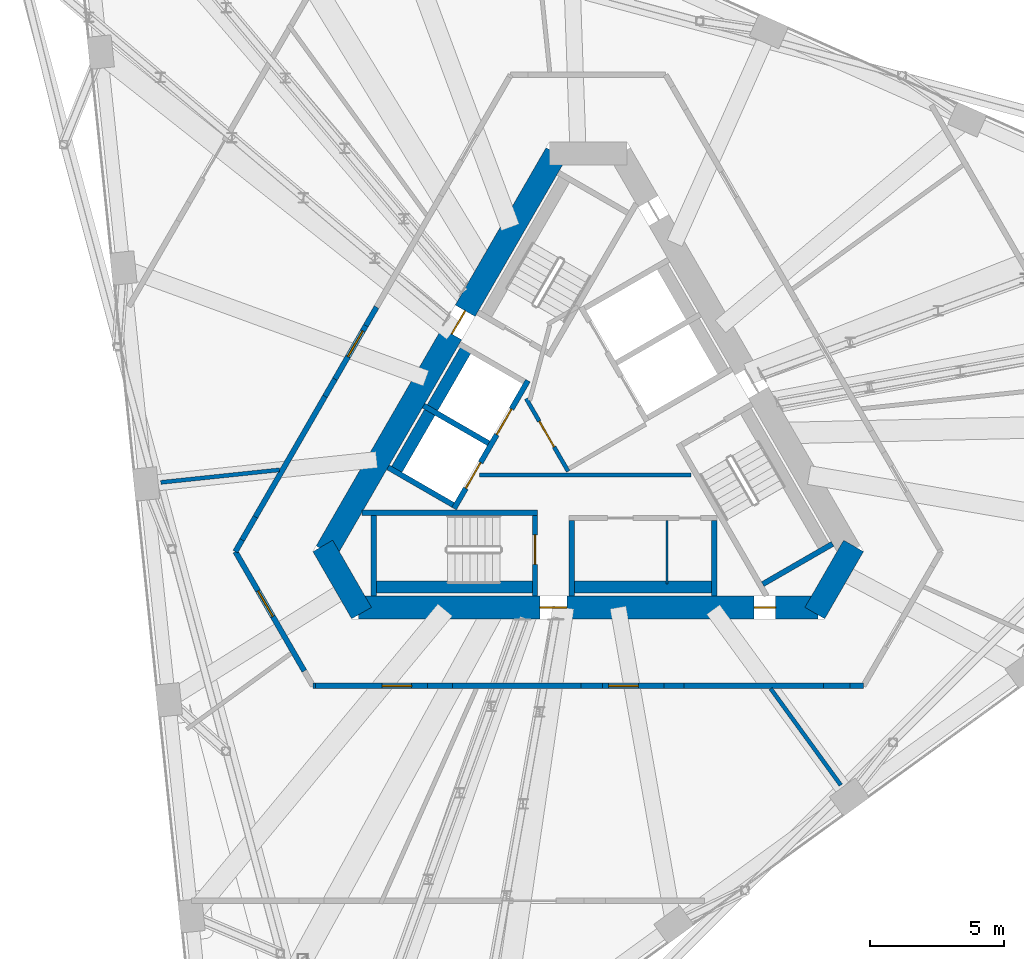
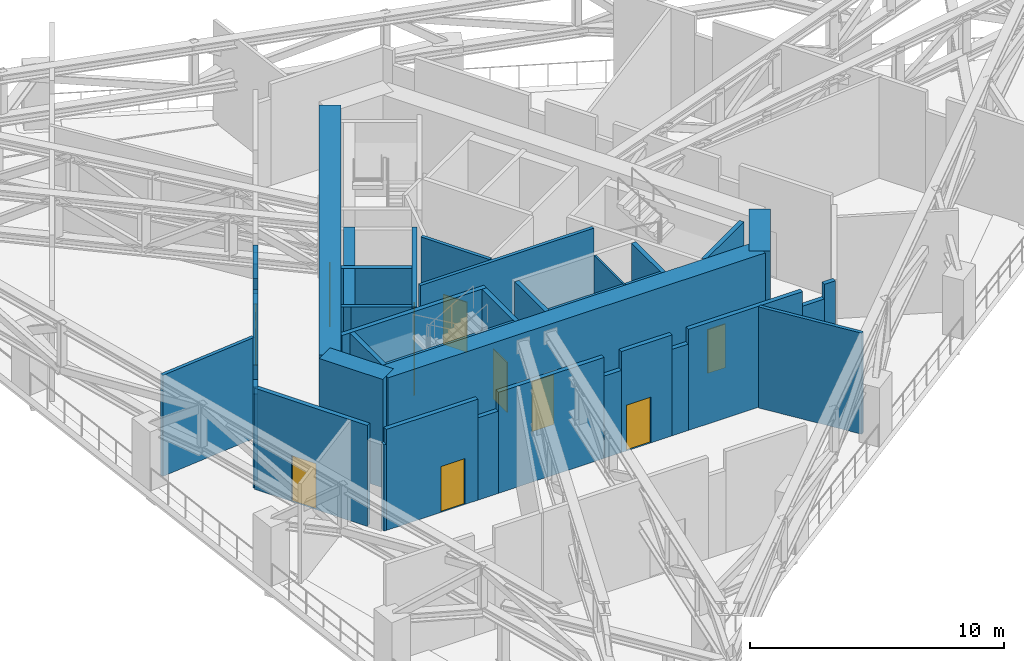
# One storey, part 17 of 26: 38 walls, 11 doors, 11 openings.
"""IFC4 building model written with IfcOpenShell, lengths in metres."""

from ifc_helpers import new_model, si_unit, direction, frame, frame_2d, origin, place, context, subcontext, project, spatial, rectangle, extrude, material, layer, layer_set, type_object, element, fill, save


model = new_model("IFC4")

# Units and contexts
model_context = context("Model", 3, precision=1e-05, world=origin(), true_north=direction((0.0, 1.0)))
body_context = subcontext(model_context, "Body", "Model", "MODEL_VIEW")
ifc_project = project(units=[si_unit("LENGTHUNIT", "METRE"), si_unit("AREAUNIT", "SQUARE_METRE"), si_unit("VOLUMEUNIT", "CUBIC_METRE"), si_unit("PLANEANGLEUNIT", "RADIAN"), si_unit("MASSUNIT", "GRAM", prefix="KILO")], contexts=[model_context])

# Site, building, storey
site_placement = place(None, origin())
site = spatial("IfcSite", under=ifc_project, at=site_placement, CompositionType="ELEMENT")
building_placement = place(site_placement, origin())
building = spatial("IfcBuilding", under=site, at=building_placement, Name="Tramontana Tower", CompositionType="ELEMENT")
storey_placement = place(building_placement, frame((0.0, 0.0, 194.800048828125)))
storey = spatial("IfcBuildingStorey", under=building, at=storey_placement, Name="L45", CompositionType="ELEMENT", Elevation=194.800048828125)

# Wall, opening, door
ifc_material_1 = material(Name="Concrete 70 MPa", Category="concrete")
ifc_layer_1 = layer(ifc_material_1, 0.85009765625)
ifc_layer_set_1 = layer_set([ifc_layer_1], Name="Core wall 850 70 MPa")
wall_type_1 = type_object("IfcWallType", Name="Core wall 850 70 MPa", PredefinedType="SHEAR", material=ifc_layer_set_1)
wall_1_placement = place(storey_placement, frame((-1.197998046875, 10.574951171875, 0.0), z_axis=(0.0, 0.0, 1.0), x_axis=(-0.499995289315, -0.866028123483, 0.0)))
wall_1 = element("IfcWall", 1, at=wall_1_placement, inside=storey, type_object=wall_type_1, Name="Core wall C1 L45", PredefinedType="SHEAR", context=body_context, shape_type="SweptSolid", body=[
    extrude(rectangle(XDim=17.118408203125, YDim=0.85009765625, at=frame_2d((8.55908203125, 0.0))), origin(), (0.0, 0.0, 1.0), 5.199951171875),
])
opening_1_placement = place(wall_1_placement, frame((6.76416015625, 0.0, 0.0)))
opening_1 = element("IfcOpeningElement", 2, at=opening_1_placement, cuts=wall_1, Name="Opening RG1", PredefinedType="OPENING", context=body_context, shape_type="SweptSolid", body=[
    extrude(rectangle(XDim=1.0, YDim=2.39990234375, at=frame_2d((0.5, 1.199951171875))), frame((0.0, 0.43505859375, 0.0), z_axis=(0.0, -1.0, 0.0), x_axis=(1.0, 0.0, 0.0)), (0.0, 0.0, 1.0), 0.8701171875),
])
ifc_material_2 = material(Name="Painted steel", Category="steel")
door_type_1 = type_object("IfcDoorType", Name="RING DOOR 1000", OperationType="SINGLE_SWING_LEFT", PredefinedType="DOOR", material=ifc_material_2)
door_1_placement = place(opening_1_placement, origin())
door_1 = element("IfcDoor", 3, at=door_1_placement, inside=storey, type_object=door_type_1, Name="Door RG1", OperationType="SINGLE_SWING_RIGHT", OverallHeight=2.39990234375, OverallWidth=1.0, PredefinedType="DOOR", context=body_context, shape_type="SweptSolid", body=[
    extrude(rectangle(XDim=1.0, YDim=2.39990234375, at=frame_2d((0.5, 1.199951171875))), frame((0.0, 0.02490234375, 0.0), z_axis=(0.0, -1.0, 0.0), x_axis=(1.0, 0.0, 0.0)), (0.0, 0.0, 1.0), 0.050048828125),
])
fill(opening_1, door_1)

# Wall
wall_2_placement = place(storey_placement, frame((-9.8798828125, -4.03759765625, 0.0), z_axis=(0.0, 0.0, 1.0), x_axis=(0.499995765644, -0.866027848477, 0.0)))
element("IfcWall", 4, at=wall_2_placement, inside=storey, type_object=wall_type_1, Name="Core wall C2 L45", PredefinedType="SHEAR", context=body_context, shape_type="SweptSolid", body=[
    extrude(rectangle(XDim=2.88671875, YDim=0.85009765625, at=frame_2d((1.443359375, 0.0))), origin(), (0.0, 0.0, 1.0), 5.199951171875),
])

# Wall, openings, doors
wall_3_placement = place(storey_placement, frame((-8.55908203125, -6.324951171875, 0.0), z_axis=(0.0, 0.0, 1.0), x_axis=(1.0, 0.0, 0.0)))
wall_3 = element("IfcWall", 5, at=wall_3_placement, inside=storey, type_object=wall_type_1, Name="Core wall C3 L45", PredefinedType="SHEAR", context=body_context, shape_type="SweptSolid", body=[
    extrude(rectangle(XDim=17.1181640625, YDim=0.85009765625, at=frame_2d((8.55908203125, 0.0))), origin(), (0.0, 0.0, 1.0), 5.199951171875),
])
opening_2_placement = place(wall_3_placement, frame((6.76416015625, 0.0, 0.0)))
opening_2 = element("IfcOpeningElement", 6, at=opening_2_placement, cuts=wall_3, Name="Opening RG2", PredefinedType="OPENING", context=body_context, shape_type="SweptSolid", body=[
    extrude(rectangle(XDim=1.0, YDim=2.39990234375, at=frame_2d((0.5, 1.199951171875))), frame((0.0, 0.43505859375, 0.0), z_axis=(0.0, -1.0, 0.0), x_axis=(1.0, 0.0, 0.0)), (0.0, 0.0, 1.0), 0.8701171875),
])
opening_3_placement = place(wall_3_placement, frame((14.7421875, 0.0, 0.0)))
opening_3 = element("IfcOpeningElement", 7, at=opening_3_placement, cuts=wall_3, Name="Opening PD2", PredefinedType="OPENING", context=body_context, shape_type="SweptSolid", body=[
    extrude(rectangle(XDim=0.800048828125, YDim=2.10009765625, at=frame_2d((0.39990234375, 1.050048828125))), frame((0.0, 0.43505859375, 0.0), z_axis=(0.0, -1.0, 0.0), x_axis=(1.0, 0.0, 0.0)), (0.0, 0.0, 1.0), 0.8701171875),
])
ifc_material_3 = material(Name="Painted steel", Category="steel")
door_type_2 = type_object("IfcDoorType", Name="CUPBOARD DOOR 800", OperationType="SINGLE_SWING_LEFT", PredefinedType="DOOR", material=ifc_material_3)
door_2_placement = place(opening_3_placement, origin())
door_2 = element("IfcDoor", 8, at=door_2_placement, inside=storey, type_object=door_type_2, Name="Door PD2", OperationType="SINGLE_SWING_LEFT", OverallHeight=2.10009765625, OverallWidth=0.800048828125, PredefinedType="DOOR", context=body_context, shape_type="SweptSolid", body=[
    extrude(rectangle(XDim=0.800048828125, YDim=2.10009765625, at=frame_2d((0.39990234375, 1.050048828125))), frame((0.0, 0.02490234375, 0.0), z_axis=(0.0, -1.0, 0.0), x_axis=(1.0, 0.0, 0.0)), (0.0, 0.0, 1.0), 0.050048828125),
])
fill(opening_3, door_2)
door_3_placement = place(opening_2_placement, origin())
door_3 = element("IfcDoor", 9, at=door_3_placement, inside=storey, type_object=door_type_1, Name="Door RG2", OperationType="SINGLE_SWING_LEFT", OverallHeight=2.39990234375, OverallWidth=1.0, PredefinedType="DOOR", context=body_context, shape_type="SweptSolid", body=[
    extrude(rectangle(XDim=1.0, YDim=2.39990234375, at=frame_2d((0.5, 1.199951171875))), frame((0.0, 0.02490234375, 0.0), z_axis=(0.0, -1.0, 0.0), x_axis=(1.0, 0.0, 0.0)), (0.0, 0.0, 1.0), 0.050048828125),
])
fill(opening_2, door_3)

# Walls
wall_4_placement = place(storey_placement, frame((8.4365234375, -6.53759765625, 0.0), z_axis=(0.0, 0.0, 1.0), x_axis=(0.499995765644, 0.866027848477, 0.0)))
element("IfcWall", 10, at=wall_4_placement, inside=storey, type_object=wall_type_1, Name="Core wall C4 L45", PredefinedType="SHEAR", context=body_context, shape_type="SweptSolid", body=[
    extrude(rectangle(XDim=2.88671875, YDim=0.85009765625, at=frame_2d((1.443359375, 0.0))), origin(), (0.0, 0.0, 1.0), 5.199951171875),
])
ifc_material_4 = material(Name="Blockwork", Category="masonry")
ifc_layer_2 = layer(ifc_material_4, 0.199951171875)
ifc_layer_set_2 = layer_set([ifc_layer_2], Name="ENTRY WALL 200")
wall_type_2 = type_object("IfcWallType", Name="ENTRY WALL 200", PredefinedType="SOLIDWALL", material=ifc_layer_set_2)
wall_5_placement = place(storey_placement, frame((10.248046875, -9.25, 0.0), z_axis=(0.0, 0.0, 1.0), x_axis=(-1.0, 0.0, 0.0)))
element("IfcWall", 11, at=wall_5_placement, inside=storey, type_object=wall_type_2, Name="Wall ew2-0", PredefinedType="SOLIDWALL", context=body_context, shape_type="SweptSolid", body=[
    extrude(rectangle(XDim=0.503173828125, YDim=0.199951171875, at=frame_2d((0.25146484375, 0.0))), origin(), (0.0, 0.0, 1.0), 4.849853515625),
])
wall_6_placement = place(storey_placement, frame((9.744873046875, -9.25, 0.0), z_axis=(0.0, 0.0, 1.0), x_axis=(-1.0, 0.0, 0.0)))
element("IfcWall", 12, at=wall_6_placement, inside=storey, type_object=wall_type_2, Name="Wall ew2-1", PredefinedType="SOLIDWALL", context=body_context, shape_type="SweptSolid", body=[
    extrude(rectangle(XDim=0.98974609375, YDim=0.199951171875, at=frame_2d((0.494873046875, 0.0))), origin(), (0.0, 0.0, 1.0), 4.14990234375),
])
wall_7_placement = place(storey_placement, frame((8.755126953125, -9.25, 0.0), z_axis=(0.0, 0.0, 1.0), x_axis=(-1.0, 0.0, 0.0)))
element("IfcWall", 13, at=wall_7_placement, inside=storey, type_object=wall_type_2, Name="Wall ew2-2", PredefinedType="SOLIDWALL", context=body_context, shape_type="SweptSolid", body=[
    extrude(rectangle(XDim=5.18212890625, YDim=0.199951171875, at=frame_2d((2.591064453125, 0.0))), origin(), (0.0, 0.0, 1.0), 4.849853515625),
])
wall_8_placement = place(storey_placement, frame((3.572998046875, -9.25, 0.0), z_axis=(0.0, 0.0, 1.0), x_axis=(-1.0, 0.0, 0.0)))
element("IfcWall", 14, at=wall_8_placement, inside=storey, type_object=wall_type_2, Name="Wall ew2-3", PredefinedType="SOLIDWALL", context=body_context, shape_type="SweptSolid", body=[
    extrude(rectangle(XDim=0.74072265625, YDim=0.199951171875, at=frame_2d((0.370361328125, 0.0))), origin(), (0.0, 0.0, 1.0), 4.14990234375),
])

# Wall, opening, door
wall_9_placement = place(storey_placement, frame((2.832275390625, -9.25, 0.0), z_axis=(0.0, 0.0, 1.0), x_axis=(-1.0, 0.0, 0.0)))
wall_9 = element("IfcWall", 15, at=wall_9_placement, inside=storey, type_object=wall_type_2, Name="Wall ew2-4", PredefinedType="SOLIDWALL", context=body_context, shape_type="SweptSolid", body=[
    extrude(rectangle(XDim=2.29736328125, YDim=0.199951171875, at=frame_2d((1.148681640625, 0.0))), origin(), (0.0, 0.0, 1.0), 4.849853515625),
])
opening_4_placement = place(wall_9_placement, frame((0.96728515625, 0.0, 0.0)))
opening_4 = element("IfcOpeningElement", 16, at=opening_4_placement, cuts=wall_9, Name="Opening L45-05", PredefinedType="OPENING", context=body_context, shape_type="SweptSolid", body=[
    extrude(rectangle(XDim=1.10009765625, YDim=2.199951171875, at=frame_2d((0.550048828125, 1.10009765625))), frame((0.0, 0.10986328125, 0.0), z_axis=(0.0, -1.0, 0.0), x_axis=(1.0, 0.0, 0.0)), (0.0, 0.0, 1.0), 0.219970703125),
])
ifc_material_5 = material(Name="Painted steel", Category="steel")
door_type_3 = type_object("IfcDoorType", Name="PLANT DOOR 1100", OperationType="SINGLE_SWING_LEFT", PredefinedType="DOOR", material=ifc_material_5)
door_4_placement = place(opening_4_placement, origin())
door_4 = element("IfcDoor", 17, at=door_4_placement, inside=storey, type_object=door_type_3, Name="Door L45-05", OperationType="SINGLE_SWING_LEFT", OverallHeight=2.199951171875, OverallWidth=1.10009765625, PredefinedType="DOOR", context=body_context, shape_type="SweptSolid", body=[
    extrude(rectangle(XDim=1.10009765625, YDim=2.199951171875, at=frame_2d((0.550048828125, 1.10009765625))), frame((0.0, 0.02490234375, 0.0), z_axis=(0.0, -1.0, 0.0), x_axis=(1.0, 0.0, 0.0)), (0.0, 0.0, 1.0), 0.050048828125),
])
fill(opening_4, door_4)

# Walls
wall_10_placement = place(storey_placement, frame((0.534912109375, -9.25, 0.0), z_axis=(0.0, 0.0, 1.0), x_axis=(-1.0, 0.0, 0.0)))
element("IfcWall", 18, at=wall_10_placement, inside=storey, type_object=wall_type_2, Name="Wall ew2-5", PredefinedType="SOLIDWALL", context=body_context, shape_type="SweptSolid", body=[
    extrude(rectangle(XDim=0.800048828125, YDim=0.199951171875, at=frame_2d((0.39990234375, 0.0))), origin(), (0.0, 0.0, 1.0), 3.949951171875),
])
wall_11_placement = place(storey_placement, frame((-0.26513671875, -9.25, 0.0), z_axis=(0.0, 0.0, 1.0), x_axis=(-1.0, 0.0, 0.0)))
element("IfcWall", 19, at=wall_11_placement, inside=storey, type_object=wall_type_2, Name="Wall ew2-6", PredefinedType="SOLIDWALL", context=body_context, shape_type="SweptSolid", body=[
    extrude(rectangle(XDim=4.791015625, YDim=0.199951171875, at=frame_2d((2.3955078125, 0.0))), origin(), (0.0, 0.0, 1.0), 4.849853515625),
])
wall_12_placement = place(storey_placement, frame((-5.05615234375, -9.25, 0.0), z_axis=(0.0, 0.0, 1.0), x_axis=(-1.0, 0.0, 0.0)))
element("IfcWall", 20, at=wall_12_placement, inside=storey, type_object=wall_type_2, Name="Wall ew2-7", PredefinedType="SOLIDWALL", context=body_context, shape_type="SweptSolid", body=[
    extrude(rectangle(XDim=0.931640625, YDim=0.199951171875, at=frame_2d((0.4658203125, 0.0))), origin(), (0.0, 0.0, 1.0), 3.949951171875),
])

# Wall, opening, door
wall_13_placement = place(storey_placement, frame((-5.98779296875, -9.25, 0.0), z_axis=(0.0, 0.0, 1.0), x_axis=(-1.0, 0.0, 0.0)))
wall_13 = element("IfcWall", 21, at=wall_13_placement, inside=storey, type_object=wall_type_2, Name="Wall ew2-8", PredefinedType="SOLIDWALL", context=body_context, shape_type="SweptSolid", body=[
    extrude(rectangle(XDim=4.1552734375, YDim=0.199951171875, at=frame_2d((2.07763671875, 0.0))), origin(), (0.0, 0.0, 1.0), 4.849853515625),
])
opening_5_placement = place(wall_13_placement, frame((0.5869140625, 0.0, 0.0)))
opening_5 = element("IfcOpeningElement", 22, at=opening_5_placement, cuts=wall_13, Name="Opening L45-04", PredefinedType="OPENING", context=body_context, shape_type="SweptSolid", body=[
    extrude(rectangle(XDim=1.10009765625, YDim=2.199951171875, at=frame_2d((0.550048828125, 1.10009765625))), frame((0.0, 0.10986328125, 0.0), z_axis=(0.0, -1.0, 0.0), x_axis=(1.0, 0.0, 0.0)), (0.0, 0.0, 1.0), 0.219970703125),
])
door_5_placement = place(opening_5_placement, origin())
door_5 = element("IfcDoor", 23, at=door_5_placement, inside=storey, type_object=door_type_3, Name="Door L45-04", OperationType="SINGLE_SWING_RIGHT", OverallHeight=2.199951171875, OverallWidth=1.10009765625, PredefinedType="DOOR", context=body_context, shape_type="SweptSolid", body=[
    extrude(rectangle(XDim=1.10009765625, YDim=2.199951171875, at=frame_2d((0.550048828125, 1.10009765625))), frame((0.0, 0.02490234375, 0.0), z_axis=(0.0, -1.0, 0.0), x_axis=(1.0, 0.0, 0.0)), (0.0, 0.0, 1.0), 0.050048828125),
])
fill(opening_5, door_5)

# Wall
wall_14_placement = place(storey_placement, frame((-10.14306640625, -9.25, 0.0), z_axis=(0.0, 0.0, 1.0), x_axis=(-1.0, 0.0, 0.0)))
element("IfcWall", 24, at=wall_14_placement, inside=storey, type_object=wall_type_2, Name="Wall ew2-9", PredefinedType="SOLIDWALL", context=body_context, shape_type="SweptSolid", body=[
    extrude(rectangle(XDim=0.10498046875, YDim=0.199951171875, at=frame_2d((0.052490234375, 0.0))), origin(), (0.0, 0.0, 1.0), 4.14990234375),
])

# Wall, opening, door
wall_15_placement = place(storey_placement, frame((-10.5693359375, -8.693115234375, 0.0), z_axis=(0.0, 0.0, 1.0), x_axis=(-0.500028638513, 0.8660088687, 0.0)))
wall_15 = element("IfcWall", 25, at=wall_15_placement, inside=storey, type_object=wall_type_2, Name="Wall ew3-1", PredefinedType="SOLIDWALL", context=body_context, shape_type="SweptSolid", body=[
    extrude(rectangle(XDim=5.130615234375, YDim=0.199951171875, at=frame_2d((2.5654296875, 0.0))), origin(), (0.0, 0.0, 1.0), 4.849853515625),
])
opening_6_placement = place(wall_15_placement, frame((2.341796875, 0.0, 0.0)))
opening_6 = element("IfcOpeningElement", 26, at=opening_6_placement, cuts=wall_15, Name="Opening L45-03", PredefinedType="OPENING", context=body_context, shape_type="SweptSolid", body=[
    extrude(rectangle(XDim=1.10009765625, YDim=2.199951171875, at=frame_2d((0.550048828125, 1.10009765625))), frame((0.0, 0.10986328125, 0.0), z_axis=(0.0, -1.0, 0.0), x_axis=(1.0, 0.0, 0.0)), (0.0, 0.0, 1.0), 0.219970703125),
])
door_6_placement = place(opening_6_placement, origin())
door_6 = element("IfcDoor", 27, at=door_6_placement, inside=storey, type_object=door_type_3, Name="Door L45-03", OperationType="SINGLE_SWING_LEFT", OverallHeight=2.199951171875, OverallWidth=1.10009765625, PredefinedType="DOOR", context=body_context, shape_type="SweptSolid", body=[
    extrude(rectangle(XDim=1.10009765625, YDim=2.199951171875, at=frame_2d((0.550048828125, 1.10009765625))), frame((0.0, 0.02490234375, 0.0), z_axis=(0.0, -1.0, 0.0), x_axis=(1.0, 0.0, 0.0)), (0.0, 0.0, 1.0), 0.050048828125),
])
fill(opening_6, door_6)

# Walls
wall_16_placement = place(storey_placement, frame((-13.134765625, -4.25, 0.0), z_axis=(0.0, 0.0, 1.0), x_axis=(0.500002592159, 0.866023907196, 0.0)))
element("IfcWall", 28, at=wall_16_placement, inside=storey, type_object=wall_type_2, Name="Wall ew4-0", PredefinedType="SOLIDWALL", context=body_context, shape_type="SweptSolid", body=[
    extrude(rectangle(XDim=0.5029296875, YDim=0.199951171875, at=frame_2d((0.25146484375, 0.0))), origin(), (0.0, 0.0, 1.0), 4.849853515625),
])
wall_17_placement = place(storey_placement, frame((-12.88330078125, -3.814453125, 0.0), z_axis=(0.0, 0.0, 1.0), x_axis=(0.500063959222, 0.865988473761, 0.0)))
element("IfcWall", 29, at=wall_17_placement, inside=storey, type_object=wall_type_2, Name="Wall ew4-1", PredefinedType="SOLIDWALL", context=body_context, shape_type="SweptSolid", body=[
    extrude(rectangle(XDim=0.989990234375, YDim=0.199951171875, at=frame_2d((0.4951171875, 0.0))), origin(), (0.0, 0.0, 1.0), 4.14990234375),
])
wall_18_placement = place(storey_placement, frame((-12.38818359375, -2.95703125, 0.0), z_axis=(0.0, 0.0, 1.0), x_axis=(0.499990271856, 0.866031020258, 0.0)))
element("IfcWall", 30, at=wall_18_placement, inside=storey, type_object=wall_type_2, Name="Wall ew4-2", PredefinedType="SOLIDWALL", context=body_context, shape_type="SweptSolid", body=[
    extrude(rectangle(XDim=5.181640625, YDim=0.199951171875, at=frame_2d((2.5908203125, 0.0))), origin(), (0.0, 0.0, 1.0), 4.849853515625),
])
wall_19_placement = place(storey_placement, frame((-9.79736328125, 1.530517578125, 0.0), z_axis=(0.0, 0.0, 1.0), x_axis=(0.499931655587, 0.866064858854, 0.0)))
element("IfcWall", 31, at=wall_19_placement, inside=storey, type_object=wall_type_2, Name="Wall ew4-3", PredefinedType="SOLIDWALL", context=body_context, shape_type="SweptSolid", body=[
    extrude(rectangle(XDim=0.74072265625, YDim=0.199951171875, at=frame_2d((0.370361328125, 0.0))), origin(), (0.0, 0.0, 1.0), 4.14990234375),
])

# Wall, opening, door
wall_20_placement = place(storey_placement, frame((-9.427001953125, 2.172119140625, 0.0), z_axis=(0.0, 0.0, 1.0), x_axis=(0.500013761451, 0.866017458461, 0.0)))
wall_20 = element("IfcWall", 32, at=wall_20_placement, inside=storey, type_object=wall_type_2, Name="Wall ew4-4", PredefinedType="SOLIDWALL", context=body_context, shape_type="SweptSolid", body=[
    extrude(rectangle(XDim=2.29736328125, YDim=0.199951171875, at=frame_2d((1.148681640625, 0.0))), origin(), (0.0, 0.0, 1.0), 4.849853515625),
])
opening_7_placement = place(wall_20_placement, frame((0.96728515625, 0.0, 0.0)))
opening_7 = element("IfcOpeningElement", 33, at=opening_7_placement, cuts=wall_20, Name="Opening L45-02", PredefinedType="OPENING", context=body_context, shape_type="SweptSolid", body=[
    extrude(rectangle(XDim=1.10009765625, YDim=2.199951171875, at=frame_2d((0.550048828125, 1.10009765625))), frame((0.0, 0.10986328125, 0.0), z_axis=(0.0, -1.0, 0.0), x_axis=(1.0, 0.0, 0.0)), (0.0, 0.0, 1.0), 0.219970703125),
])
door_7_placement = place(opening_7_placement, origin())
door_7 = element("IfcDoor", 34, at=door_7_placement, inside=storey, type_object=door_type_3, Name="Door L45-02", OperationType="SINGLE_SWING_RIGHT", OverallHeight=2.199951171875, OverallWidth=1.10009765625, PredefinedType="DOOR", context=body_context, shape_type="SweptSolid", body=[
    extrude(rectangle(XDim=1.10009765625, YDim=2.199951171875, at=frame_2d((0.550048828125, 1.10009765625))), frame((0.0, 0.02490234375, 0.0), z_axis=(0.0, -1.0, 0.0), x_axis=(1.0, 0.0, 0.0)), (0.0, 0.0, 1.0), 0.050048828125),
])
fill(opening_7, door_7)

# Wall
wall_21_placement = place(storey_placement, frame((-8.2783203125, 4.16162109375, 0.0), z_axis=(0.0, 0.0, 1.0), x_axis=(0.500109828528, 0.865961984968, 0.0)))
element("IfcWall", 35, at=wall_21_placement, inside=storey, type_object=wall_type_2, Name="Wall ew4-5", PredefinedType="SOLIDWALL", context=body_context, shape_type="SweptSolid", body=[
    extrude(rectangle(XDim=0.800048828125, YDim=0.199951171875, at=frame_2d((0.39990234375, 0.0))), origin(), (0.0, 0.0, 1.0), 3.949951171875),
])

# Wall, opening, door
ifc_material_6 = material(Name="Gypsum board partition")
ifc_layer_3 = layer(ifc_material_6, 0.14990234375)
ifc_layer_set_3 = layer_set([ifc_layer_3], Name="PARTITION 150")
wall_type_3 = type_object("IfcWallType", Name="PARTITION 150", PredefinedType="PARTITIONING", material=ifc_layer_set_3)
wall_22_placement = place(storey_placement, frame((-0.744140625, -1.260986328125, 0.0), z_axis=(0.0, 0.0, 1.0), x_axis=(-0.500004234368, 0.866022959057, 0.0)))
wall_22 = element("IfcWall", 36, at=wall_22_placement, inside=storey, type_object=wall_type_3, Name="Wall ff-front", PredefinedType="PARTITIONING", context=body_context, shape_type="SweptSolid", body=[
    extrude(rectangle(XDim=3.125, YDim=0.14990234375, at=frame_2d((1.5625, 0.0))), origin(), (0.0, 0.0, 1.0), 4.849853515625),
])
opening_8_placement = place(wall_22_placement, frame((1.050048828125, 0.0, 0.0)))
opening_8 = element("IfcOpeningElement", 37, at=opening_8_placement, cuts=wall_22, Name="Opening FD1", PredefinedType="OPENING", context=body_context, shape_type="SweptSolid", body=[
    extrude(rectangle(XDim=1.10009765625, YDim=2.39990234375, at=frame_2d((0.550048828125, 1.199951171875))), frame((0.0, 0.0849609375, 0.0), z_axis=(0.0, -1.0, 0.0), x_axis=(1.0, 0.0, 0.0)), (0.0, 0.0, 1.0), 0.169921875),
])
ifc_material_7 = material(Name="Painted timber", Category="wood")
door_type_4 = type_object("IfcDoorType", Name="DOOR ENTRY 1100", OperationType="SINGLE_SWING_LEFT", PredefinedType="DOOR", material=ifc_material_7)
door_8_placement = place(opening_8_placement, origin())
door_8 = element("IfcDoor", 38, at=door_8_placement, inside=storey, type_object=door_type_4, Name="Door FD1", OperationType="SINGLE_SWING_LEFT", OverallHeight=2.39990234375, OverallWidth=1.10009765625, PredefinedType="DOOR", context=body_context, shape_type="SweptSolid", body=[
    extrude(rectangle(XDim=1.10009765625, YDim=2.39990234375, at=frame_2d((0.550048828125, 1.199951171875))), frame((0.0, 0.02490234375, 0.0), z_axis=(0.0, -1.0, 0.0), x_axis=(1.0, 0.0, 0.0)), (0.0, 0.0, 1.0), 0.050048828125),
])
fill(opening_8, door_8)

# Walls
wall_23_placement = place(storey_placement, frame((-4.053466796875, -1.39990234375, 0.0), z_axis=(0.0, 0.0, 1.0), x_axis=(1.0, 0.0, 0.0)))
element("IfcWall", 39, at=wall_23_placement, inside=storey, type_object=wall_type_3, Name="Wall hub-cut1", PredefinedType="PARTITIONING", context=body_context, shape_type="SweptSolid", body=[
    extrude(rectangle(XDim=7.8759765625, YDim=0.14990234375, at=frame_2d((3.93798828125, 0.0))), origin(), (0.0, 0.0, 1.0), 4.849853515625),
])
wall_24_placement = place(storey_placement, frame((-11.493896484375, -1.2080078125, 0.0), z_axis=(0.0, 0.0, 1.0), x_axis=(-0.994522903308, -0.104518872919, 0.0)))
element("IfcWall", 40, at=wall_24_placement, inside=storey, type_object=wall_type_3, Name="Wall fw-pw00", PredefinedType="PARTITIONING", context=body_context, shape_type="SweptSolid", body=[
    extrude(rectangle(XDim=4.44287109375, YDim=0.14990234375, at=frame_2d((2.221435546875, 0.0))), origin(), (0.0, 0.0, 1.0), 4.849853515625),
])
wall_25_placement = place(storey_placement, frame((6.793212890625, -9.35009765625, 0.0), z_axis=(0.0, 0.0, 1.0), x_axis=(0.587779529971, -0.809021151854, 0.0)))
element("IfcWall", 41, at=wall_25_placement, inside=storey, type_object=wall_type_3, Name="Wall fw-pw05", PredefinedType="PARTITIONING", context=body_context, shape_type="SweptSolid", body=[
    extrude(rectangle(XDim=4.442626953125, YDim=0.14990234375, at=frame_2d((2.22119140625, 0.0))), origin(), (0.0, 0.0, 1.0), 4.849853515625),
])
ifc_material_8 = material(Name="Gypsum board partition")
ifc_layer_4 = layer(ifc_material_8, 0.080078125)
ifc_layer_set_4 = layer_set([ifc_layer_4], Name="PARTITION 80")
wall_type_4 = type_object("IfcWallType", Name="PARTITION 80", PredefinedType="PARTITIONING", material=ifc_layer_set_4)
wall_26_placement = place(storey_placement, frame((2.93994140625, -3.10009765625, 0.0), z_axis=(0.0, 0.0, 1.0), x_axis=(0.0, -1.0, 0.0)))
element("IfcWall", 42, at=wall_26_placement, inside=storey, type_object=wall_type_4, Name="Wall row1-split", PredefinedType="PARTITIONING", context=body_context, shape_type="SweptSolid", body=[
    extrude(rectangle(XDim=2.349853515625, YDim=0.080078125, at=frame_2d((1.1748046875, 0.0))), origin(), (0.0, 0.0, 1.0), 4.849853515625),
])
ifc_material_9 = material(Name="Concrete 70 MPa", Category="concrete")
ifc_layer_5 = layer(ifc_material_9, 0.449951171875)
ifc_layer_set_5 = layer_set([ifc_layer_5], Name="Concrete 70 MPa, 450 mm")
wall_type_5 = type_object("IfcWallType", Name="RC SHAFT BACK WALL 450", PredefinedType="SOLIDWALL", material=ifc_layer_set_5)
wall_27_placement = place(storey_placement, frame((-8.080078125, -5.574951171875, 0.0), z_axis=(0.0, 0.0, 1.0), x_axis=(1.0, 0.0, 0.0)))
element("IfcWall", 43, at=wall_27_placement, inside=storey, type_object=wall_type_5, Name="Wall st2-back", PredefinedType="SOLIDWALL", context=body_context, shape_type="SweptSolid", body=[
    extrude(rectangle(XDim=6.2001953125, YDim=0.449951171875, at=frame_2d((3.10009765625, 0.0))), origin(), (0.0, 0.0, 1.0), 4.849853515625),
])
for number, where, z_axis, x_axis, name in (
    (44, (-4.47314453125, 3.40234375, 0.0), (0.0, 0.0, 1.0), (-0.499996545922, -0.866027397988, 0.0), "Wall row0-back"),
    (45, (-0.7099609375, -5.574951171875, 0.0), (0.0, 0.0, 1.0), (1.0, 0.0, 0.0), "Wall row1-back"),
):
    element("IfcWall", number, at=place(storey_placement, frame(where, z_axis=z_axis, x_axis=x_axis)), inside=storey, type_object=wall_type_5, Name=name, PredefinedType="SOLIDWALL", context=body_context, shape_type="SweptSolid", body=[
        extrude(rectangle(XDim=5.5, YDim=0.449951171875, at=frame_2d((2.75, 0.0))), origin(), (0.0, 0.0, 1.0), 4.849853515625),
    ])
ifc_material_10 = material(Name="Concrete 70 MPa", Category="concrete")
ifc_layer_6 = layer(ifc_material_10, 0.199951171875)
ifc_layer_set_6 = layer_set([ifc_layer_6], Name="Concrete 70 MPa, 200 mm")
wall_type_6 = type_object("IfcWallType", Name="RC STAIR AND SHAFT WALL 200", PredefinedType="SOLIDWALL", material=ifc_layer_set_6)
wall_28_placement = place(storey_placement, frame((-8.42919921875, -2.800048828125, 0.0), z_axis=(0.0, 0.0, 1.0), x_axis=(1.0, 0.0, 0.0)))
element("IfcWall", 46, at=wall_28_placement, inside=storey, type_object=wall_type_6, Name="Wall st2-front", PredefinedType="SOLIDWALL", context=body_context, shape_type="SweptSolid", body=[
    extrude(rectangle(XDim=6.54931640625, YDim=0.199951171875, at=frame_2d((3.274658203125, 0.0))), origin(), (0.0, 0.0, 1.0), 4.849853515625),
])
wall_29_placement = place(storey_placement, frame((-7.97998046875, -2.89990234375, 0.0), z_axis=(0.0, 0.0, 1.0), x_axis=(0.0, -1.0, 0.0)))
element("IfcWall", 47, at=wall_29_placement, inside=storey, type_object=wall_type_6, Name="Wall st2-far", PredefinedType="SOLIDWALL", context=body_context, shape_type="SweptSolid", body=[
    extrude(rectangle(XDim=3.0, YDim=0.199951171875, at=frame_2d((1.5, 0.0))), origin(), (0.0, 0.0, 1.0), 4.849853515625),
])

# Wall, opening, door
wall_30_placement = place(storey_placement, frame((-1.97998046875, -2.89990234375, 0.0), z_axis=(0.0, 0.0, 1.0), x_axis=(0.0, -1.0, 0.0)))
wall_30 = element("IfcWall", 48, at=wall_30_placement, inside=storey, type_object=wall_type_6, Name="Wall st2-near", PredefinedType="SOLIDWALL", context=body_context, shape_type="SweptSolid", body=[
    extrude(rectangle(XDim=3.0, YDim=0.199951171875, at=frame_2d((1.5, 0.0))), origin(), (0.0, 0.0, 1.0), 4.849853515625),
])
opening_9_placement = place(wall_30_placement, frame((0.72509765625, 0.0, 0.0)))
opening_9 = element("IfcOpeningElement", 49, at=opening_9_placement, cuts=wall_30, Name="Opening SD2", PredefinedType="OPENING", context=body_context, shape_type="SweptSolid", body=[
    extrude(rectangle(XDim=1.10009765625, YDim=2.39990234375, at=frame_2d((0.550048828125, 1.199951171875))), frame((0.0, 0.10986328125, 0.0), z_axis=(0.0, -1.0, 0.0), x_axis=(1.0, 0.0, 0.0)), (0.0, 0.0, 1.0), 0.219970703125),
])
ifc_material_11 = material(Name="Painted steel", Category="steel")
door_type_5 = type_object("IfcDoorType", Name="STAIR DOOR 1100", OperationType="SINGLE_SWING_LEFT", PredefinedType="DOOR", material=ifc_material_11)
door_9_placement = place(opening_9_placement, origin())
door_9 = element("IfcDoor", 50, at=door_9_placement, inside=storey, type_object=door_type_5, Name="Door SD2", OperationType="SINGLE_SWING_LEFT", OverallHeight=2.39990234375, OverallWidth=1.10009765625, PredefinedType="DOOR", context=body_context, shape_type="SweptSolid", body=[
    extrude(rectangle(XDim=1.10009765625, YDim=2.39990234375, at=frame_2d((0.550048828125, 1.199951171875))), frame((0.0, 0.02490234375, 0.0), z_axis=(0.0, -1.0, 0.0), x_axis=(1.0, 0.0, 0.0)), (0.0, 0.0, 1.0), 0.050048828125),
])
fill(opening_9, door_9)

# Wall
wall_31_placement = place(storey_placement, frame((6.50146484375, -5.4609375, 0.0), z_axis=(0.0, 0.0, 1.0), x_axis=(0.866031096941, 0.499990139034, 0.0)))
element("IfcWall", 51, at=wall_31_placement, inside=storey, type_object=wall_type_6, Name="Wall st3-far", PredefinedType="SOLIDWALL", context=body_context, shape_type="SweptSolid", body=[
    extrude(rectangle(XDim=3.0, YDim=0.199951171875, at=frame_2d((1.5, 0.0))), origin(), (0.0, 0.0, 1.0), 4.849853515625),
])

# Wall, openings, doors
wall_32_placement = place(storey_placement, frame((-2.2431640625, 2.114990234375, 0.0), z_axis=(0.0, 0.0, 1.0), x_axis=(-0.499996545922, -0.866027397988, 0.0)))
wall_32 = element("IfcWall", 52, at=wall_32_placement, inside=storey, type_object=wall_type_6, Name="Wall row0-front", PredefinedType="SOLIDWALL", context=body_context, shape_type="SweptSolid", body=[
    extrude(rectangle(XDim=5.5, YDim=0.199951171875, at=frame_2d((2.75, 0.0))), origin(), (0.0, 0.0, 1.0), 4.849853515625),
])
opening_10_placement = place(wall_32_placement, frame((1.219970703125, 0.0, 0.0)))
opening_10 = element("IfcOpeningElement", 53, at=opening_10_placement, cuts=wall_32, Name="Opening LD-P1", PredefinedType="OPENING", context=body_context, shape_type="SweptSolid", body=[
    extrude(rectangle(XDim=1.10009765625, YDim=2.10009765625, at=frame_2d((0.550048828125, 1.050048828125))), frame((0.0, 0.10986328125, 0.0), z_axis=(0.0, -1.0, 0.0), x_axis=(1.0, 0.0, 0.0)), (0.0, 0.0, 1.0), 0.219970703125),
])
opening_11_placement = place(wall_32_placement, frame((3.52490234375, 0.0, 0.0)))
opening_11 = element("IfcOpeningElement", 54, at=opening_11_placement, cuts=wall_32, Name="Opening LD-P2", PredefinedType="OPENING", context=body_context, shape_type="SweptSolid", body=[
    extrude(rectangle(XDim=1.10009765625, YDim=2.10009765625, at=frame_2d((0.550048828125, 1.050048828125))), frame((0.0, 0.10986328125, 0.0), z_axis=(0.0, -1.0, 0.0), x_axis=(1.0, 0.0, 0.0)), (0.0, 0.0, 1.0), 0.219970703125),
])
ifc_material_12 = material(Name="Brushed steel", Category="steel")
door_type_6 = type_object("IfcDoorType", Name="LANDING DOOR 1100", OperationType="SINGLE_SWING_LEFT", PredefinedType="DOOR", material=ifc_material_12)
door_10_placement = place(opening_10_placement, origin())
door_10 = element("IfcDoor", 55, at=door_10_placement, inside=storey, type_object=door_type_6, Name="Door LD-P1", OperationType="SLIDING_TO_LEFT", OverallHeight=2.10009765625, OverallWidth=1.10009765625, PredefinedType="DOOR", context=body_context, shape_type="SweptSolid", body=[
    extrude(rectangle(XDim=1.10009765625, YDim=2.10009765625, at=frame_2d((0.550048828125, 1.050048828125))), frame((0.0, 0.02490234375, 0.0), z_axis=(0.0, -1.0, 0.0), x_axis=(1.0, 0.0, 0.0)), (0.0, 0.0, 1.0), 0.050048828125),
])
fill(opening_10, door_10)
door_11_placement = place(opening_11_placement, origin())
door_11 = element("IfcDoor", 56, at=door_11_placement, inside=storey, type_object=door_type_6, Name="Door LD-P2", OperationType="SLIDING_TO_RIGHT", OverallHeight=2.10009765625, OverallWidth=1.10009765625, PredefinedType="DOOR", context=body_context, shape_type="SweptSolid", body=[
    extrude(rectangle(XDim=1.10009765625, YDim=2.10009765625, at=frame_2d((0.550048828125, 1.050048828125))), frame((0.0, 0.02490234375, 0.0), z_axis=(0.0, -1.0, 0.0), x_axis=(1.0, 0.0, 0.0)), (0.0, 0.0, 1.0), 0.050048828125),
])
fill(opening_11, door_11)

# Walls
wall_33_placement = place(storey_placement, frame((-3.70458984375, -0.216796875, 0.0), z_axis=(0.0, 0.0, 1.0), x_axis=(-0.866018616679, 0.500011755427, 0.0)))
element("IfcWall", 57, at=wall_33_placement, inside=storey, type_object=wall_type_6, Name="Wall row0-side1", PredefinedType="SOLIDWALL", context=body_context, shape_type="SweptSolid", body=[
    extrude(rectangle(XDim=2.80029296875, YDim=0.199951171875, at=frame_2d((1.400146484375, 0.0))), origin(), (0.0, 0.0, 1.0), 4.849853515625),
])
wall_34_placement = place(storey_placement, frame((-5.02978515625, -2.51171875, 0.0), z_axis=(0.0, 0.0, 1.0), x_axis=(-0.865996816683, 0.500049511043, 0.0)))
element("IfcWall", 58, at=wall_34_placement, inside=storey, type_object=wall_type_6, Name="Wall row0-side2", PredefinedType="SOLIDWALL", context=body_context, shape_type="SweptSolid", body=[
    extrude(rectangle(XDim=2.800048828125, YDim=0.199951171875, at=frame_2d((1.39990234375, 0.0))), origin(), (0.0, 0.0, 1.0), 4.849853515625),
])
for number, where, z_axis, x_axis, name in (
    (59, (-0.610107421875, -3.10009765625, 0.0), (0.0, 0.0, 1.0), (0.0, -1.0, 0.0), "Wall row1-side0"),
    (60, (4.68994140625, -3.10009765625, 0.0), (0.0, 0.0, 1.0), (0.0, -1.0, 0.0), "Wall row1-side2"),
):
    element("IfcWall", number, at=place(storey_placement, frame(where, z_axis=z_axis, x_axis=x_axis)), inside=storey, type_object=wall_type_6, Name=name, PredefinedType="SOLIDWALL", context=body_context, shape_type="SweptSolid", body=[
        extrude(rectangle(XDim=2.7998046875, YDim=0.199951171875, at=frame_2d((1.39990234375, 0.0))), origin(), (0.0, 0.0, 1.0), 4.849853515625),
    ])

save(model, "model.ifc")
